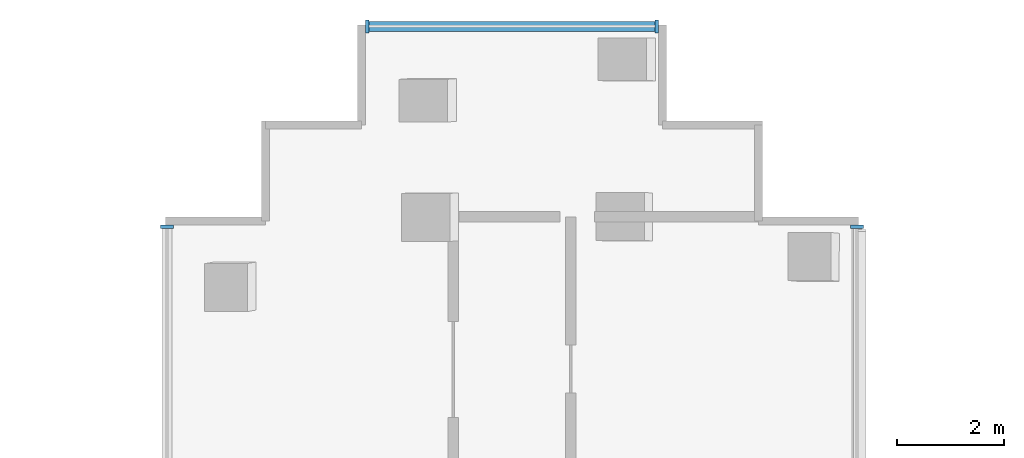
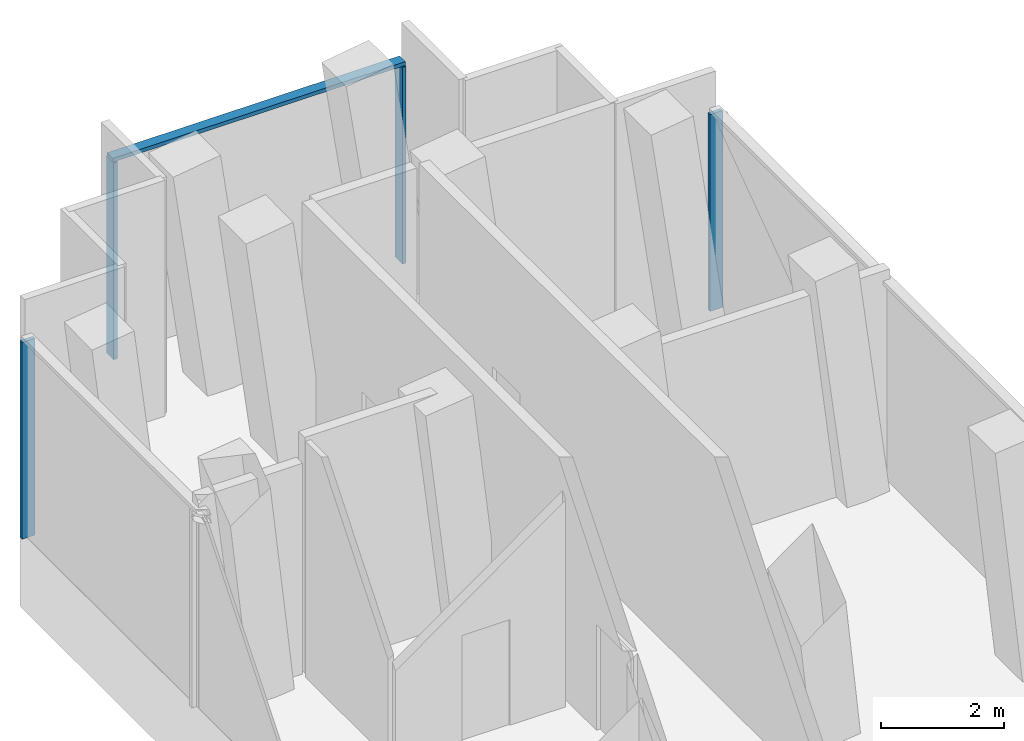
# One storey, part 7 of 16: 5 members, 3 elements without a shape of their own.
"""IFC4 building model written with IfcOpenShell, lengths in metres."""

from ifc_helpers import new_model, si_unit, direction, frame, origin, origin_2d, place, context, subcontext, project, spatial, rectangle, extrude, material, layer, layer_set, material_profile, profile_set, type_object, element, aggregate, save


model = new_model("IFC4")

# Units and contexts
model_context = context("Model", 3, precision=1e-05, world=origin(), true_north=direction((0.0, 1.0)))
body_context = subcontext(model_context, "Body", "Model", "MODEL_VIEW")
ifc_project = project(units=[si_unit("LENGTHUNIT", "METRE"), si_unit("AREAUNIT", "SQUARE_METRE"), si_unit("VOLUMEUNIT", "CUBIC_METRE"), si_unit("PLANEANGLEUNIT", "RADIAN"), si_unit("MASSUNIT", "GRAM", prefix="KILO")], contexts=[model_context])

# Site, building, storey
site_placement = place(None, origin())
site = spatial("IfcSite", under=ifc_project, at=site_placement, CompositionType="ELEMENT")
building_placement = place(site_placement, origin())
building = spatial("IfcBuilding", under=site, at=building_placement, Name="Verdalira Terraces Hotel", CompositionType="ELEMENT")
storey_placement = place(building_placement, frame((0.0, 0.0, 34.0)))
storey = spatial("IfcBuildingStorey", under=building, at=storey_placement, Name="L06", CompositionType="ELEMENT", Elevation=34.0)

# Curtain wall, member
ifc_material_1 = material(Name="Clear glass", Category="glass")
ifc_layer = layer(ifc_material_1, 0.239990234375)
ifc_layer_set = layer_set([ifc_layer], Name="CW5 curtain wall")
curtain_wall_type = type_object("IfcCurtainWallType", Name="CW5 curtain wall", PredefinedType="NOTDEFINED", material=ifc_layer_set)
curtain_wall_1_placement = place(storey_placement, origin())
curtain_wall_1 = element("IfcCurtainWall", 1, at=curtain_wall_1_placement, inside=storey, type_object=curtain_wall_type, Name="CW5 curtain wall L06 edge 0", PredefinedType="NOTDEFINED")
ifc_material_2 = material(Name="Terracotta frame", Category="masonry")
ifc_material_profile_1 = material_profile(ifc_material_2, rectangle(XDim=0.070068, YDim=0.23999, at=origin_2d()), Name="MU 70x240")
ifc_profile_set_1 = profile_set([ifc_material_profile_1], Name="Terracotta frame")
member_type_1 = type_object("IfcMemberType", Name="CW5 mullion 70x240", PredefinedType="MULLION", material=ifc_profile_set_1)
member_1_placement = place(storey_placement, frame((6.469971, 41.215088, 0.0), z_axis=(0.0, 0.0, 1.0), x_axis=(0.0, 1.0, 0.0)))
member_1 = element("IfcMember", 2, at=member_1_placement, type_object=member_type_1, Name="CW5 mullion", PredefinedType="MULLION", context=body_context, shape_type="SweptSolid", body=[
    extrude(rectangle(XDim=0.070068, YDim=0.23999, at=origin_2d()), origin(), (0.0, 0.0, 1.0), 3.915039),
])
aggregate(curtain_wall_1, [member_1])

# Curtain wall, members
curtain_wall_2_placement = place(storey_placement, origin())
curtain_wall_2 = element("IfcCurtainWall", 3, at=curtain_wall_2_placement, inside=storey, type_object=curtain_wall_type, Name="CW5 curtain wall L06 edge 5", PredefinedType="NOTDEFINED")
member_2_placement = place(storey_placement, frame((2.715088, 44.969971, 0.0), z_axis=(0.0, 0.0, 1.0), x_axis=(-1.0, 0.0, 0.0)))
member_2 = element("IfcMember", 4, at=member_2_placement, type_object=member_type_1, Name="CW5 mullion", PredefinedType="MULLION", context=body_context, shape_type="SweptSolid", body=[
    extrude(rectangle(XDim=0.070068, YDim=0.23999, at=origin_2d()), origin(), (0.0, 0.0, 1.0), 3.915039),
])
member_3_placement = place(storey_placement, frame((-2.715088, 44.969971, 0.0), z_axis=(0.0, 0.0, 1.0), x_axis=(-1.0, 0.0, 0.0)))
member_3 = element("IfcMember", 5, at=member_3_placement, type_object=member_type_1, Name="CW5 mullion", PredefinedType="MULLION", context=body_context, shape_type="SweptSolid", body=[
    extrude(rectangle(XDim=0.070068, YDim=0.23999, at=origin_2d()), origin(), (0.0, 0.0, 1.0), 3.915039),
])

# Curtain wall, member
curtain_wall_3_placement = place(storey_placement, origin())
curtain_wall_3 = element("IfcCurtainWall", 6, at=curtain_wall_3_placement, inside=storey, type_object=curtain_wall_type, Name="CW5 curtain wall L06 edge 10", PredefinedType="NOTDEFINED")
member_4_placement = place(storey_placement, frame((-6.469971, 41.215088, 0.0), z_axis=(0.0, 0.0, 1.0), x_axis=(0.0, -1.0, 0.0)))
member_4 = element("IfcMember", 7, at=member_4_placement, type_object=member_type_1, Name="CW5 mullion", PredefinedType="MULLION", context=body_context, shape_type="SweptSolid", body=[
    extrude(rectangle(XDim=0.070068, YDim=0.23999, at=origin_2d()), origin(), (0.0, 0.0, 1.0), 3.915039),
])
aggregate(curtain_wall_3, [member_4])

# Member
ifc_material_3 = material(Name="Terracotta frame", Category="masonry")
ifc_material_profile_2 = material_profile(ifc_material_3, rectangle(XDim=0.189941, YDim=0.074951, at=origin_2d()), Name="TR 75x190")
ifc_profile_set_2 = profile_set([ifc_material_profile_2], Name="Terracotta frame")
member_type_2 = type_object("IfcMemberType", Name="CW5 transom 75x190", PredefinedType="USERDEFINED", material=ifc_profile_set_2)
member_5_placement = place(storey_placement, frame((2.75, 44.969971, 3.952393), z_axis=(-1.0, 0.0, 0.0), x_axis=(0.0, -1.0, 0.0)))
member_5 = element("IfcMember", 8, at=member_5_placement, type_object=member_type_2, Name="CW5 transom", ObjectType="TRANSOM", PredefinedType="USERDEFINED", context=body_context, shape_type="SweptSolid", body=[
    extrude(rectangle(XDim=0.189941, YDim=0.074951, at=origin_2d()), origin(), (0.0, 0.0, 1.0), 5.5),
])

aggregate(curtain_wall_2, [member_2, member_3, member_5])

save(model, "model.ifc")
